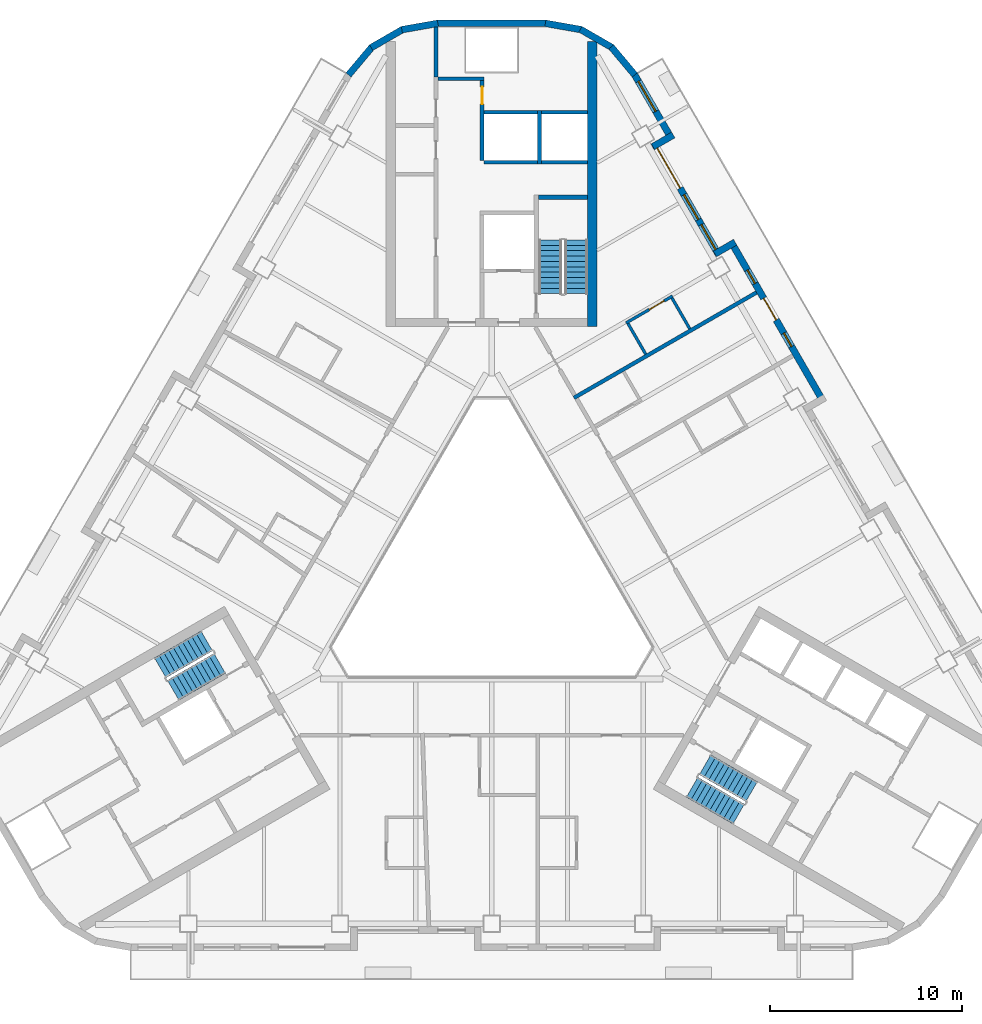
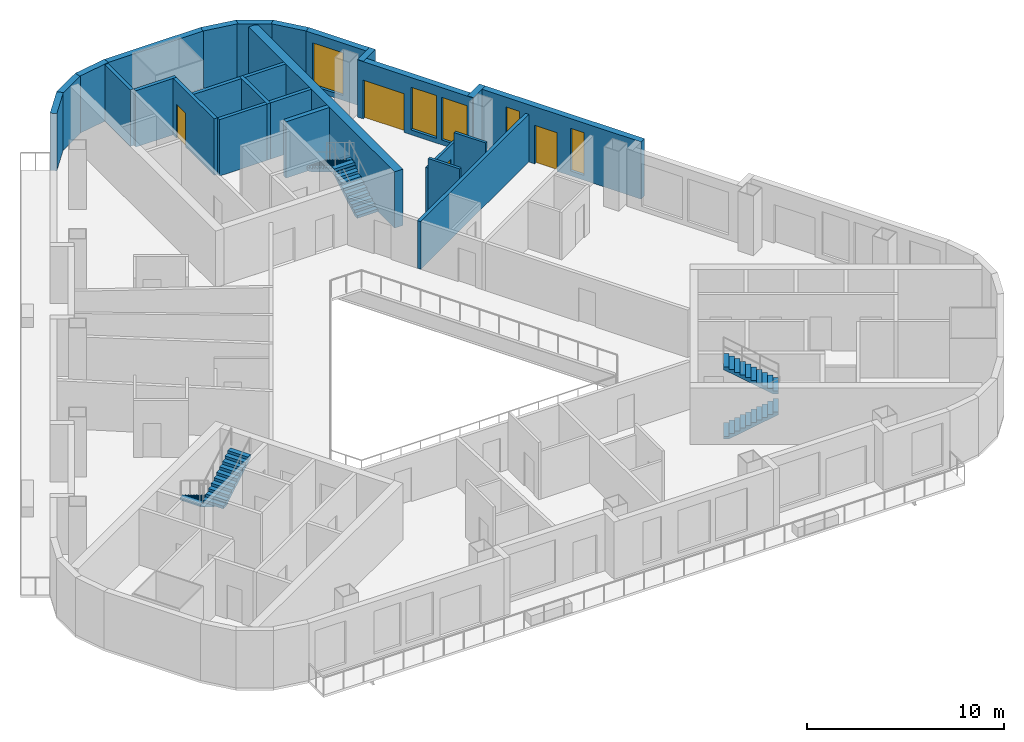
# One storey, part 7 of 13: 26 walls, 6 stair flights, 5 windows, 4 doors, 9 openings, 3 elements without a shape of their own.
"""IFC4 building model written with IfcOpenShell, lengths in metres."""

from ifc_helpers import new_model, si_unit, direction, frame, frame_2d, origin, place, context, subcontext, project, spatial, polyline, rectangle, outline, extrude, material, layer, layer_set, type_object, element, fill, aggregate, save


model = new_model("IFC4")

# Units and contexts
model_context = context("Model", 3, precision=1e-05, world=origin(), true_north=direction((0.0, 1.0)))
body_context = subcontext(model_context, "Body", "Model", "MODEL_VIEW")
ifc_project = project(units=[si_unit("LENGTHUNIT", "METRE"), si_unit("AREAUNIT", "SQUARE_METRE"), si_unit("VOLUMEUNIT", "CUBIC_METRE"), si_unit("PLANEANGLEUNIT", "RADIAN"), si_unit("MASSUNIT", "GRAM", prefix="KILO")], contexts=[model_context])

# Site, building, storey
site_placement = place(None, origin())
site = spatial("IfcSite", under=ifc_project, at=site_placement, CompositionType="ELEMENT")
building_placement = place(site_placement, origin())
building = spatial("IfcBuilding", under=site, at=building_placement, Name="Apuvela Tower Hotel", CompositionType="ELEMENT")
storey_placement = place(building_placement, frame((0.0, 0.0, 94.60009765625)))
storey = spatial("IfcBuildingStorey", under=building, at=storey_placement, Name="L21", CompositionType="ELEMENT", Elevation=94.60009765625)

# Walls
ifc_material_1 = material(Name="Concrete C50/60", Category="concrete")
ifc_layer_1 = layer(ifc_material_1, 0.5)
ifc_layer_set_1 = layer_set([ifc_layer_1], Name="COR-WALL-CORE-500")
wall_type_1 = type_object("IfcWallType", Name="COR-WALL-CORE-500", PredefinedType="SHEAR", material=ifc_layer_set_1)
wall_1_placement = place(storey_placement, frame((5.25, 12.89990234375, 0.0), z_axis=(0.0, 0.0, 1.0), x_axis=(0.0, 1.0, 0.0)))
element("IfcWall", 1, at=wall_1_placement, inside=storey, type_object=wall_type_1, Name="Core wall N", PredefinedType="SHEAR", context=body_context, shape_type="SweptSolid", body=[
    extrude(rectangle(XDim=14.8369140625, YDim=0.5, at=frame_2d((7.41845703125, 0.0))), origin(), (0.0, 0.0, 1.0), 3.5),
])
ifc_material_2 = material(Name="Blockwork 200 mm plastered", Category="masonry")
ifc_layer_2 = layer(ifc_material_2, 0.199951171875)
ifc_layer_set_2 = layer_set([ifc_layer_2], Name="COR-WALL-PART-200")
wall_type_2 = type_object("IfcWallType", Name="COR-WALL-PART-200", PredefinedType="PARTITIONING", material=ifc_layer_set_2)
wall_2_placement = place(storey_placement, frame((5.0, 21.449951171875, 0.0), z_axis=(0.0, 0.0, 1.0), x_axis=(-1.0, 0.0, 0.0)))
element("IfcWall", 2, at=wall_2_placement, inside=storey, type_object=wall_type_2, Name="Partition N", PredefinedType="PARTITIONING", context=body_context, shape_type="SweptSolid", body=[
    extrude(rectangle(XDim=2.39990234375, YDim=0.199951171875, at=frame_2d((1.199951171875, 0.0))), origin(), (0.0, 0.0, 1.0), 3.5),
])
wall_3_placement = place(storey_placement, frame((2.39990234375, 21.449951171875, 0.0), z_axis=(0.0, 0.0, 1.0), x_axis=(-1.0, 0.0, 0.0)))
element("IfcWall", 3, at=wall_3_placement, inside=storey, type_object=wall_type_2, Name="Partition N", PredefinedType="PARTITIONING", context=body_context, shape_type="SweptSolid", body=[
    extrude(rectangle(XDim=2.7998046875, YDim=0.199951171875, at=frame_2d((1.39990234375, 0.0))), origin(), (0.0, 0.0, 1.0), 3.5),
])
ifc_layer_3 = layer(ifc_material_1, 0.199951171875)
ifc_layer_set_3 = layer_set([ifc_layer_3], Name="COR-WALL-SHAFT-200")
wall_type_3 = type_object("IfcWallType", Name="COR-WALL-SHAFT-200", PredefinedType="SHEAR", material=ifc_layer_set_3)
wall_4_placement = place(storey_placement, frame((-0.39990234375, 25.800048828125, 0.0), z_axis=(0.0, 0.0, 1.0), x_axis=(-1.0, 0.0, 0.0)))
element("IfcWall", 4, at=wall_4_placement, inside=storey, type_object=wall_type_3, Name="Shaft wall N", PredefinedType="SHEAR", context=body_context, shape_type="SweptSolid", body=[
    extrude(rectangle(XDim=2.400146484375, YDim=0.199951171875, at=frame_2d((1.2001953125, 0.0))), origin(), (0.0, 0.0, 1.0), 3.5),
])

# Wall, opening, door
wall_5_placement = place(storey_placement, frame((-0.5, 21.550048828125, 0.0), z_axis=(0.0, 0.0, 1.0), x_axis=(0.0, 1.0, 0.0)))
wall_5 = element("IfcWall", 5, at=wall_5_placement, inside=storey, type_object=wall_type_3, Name="Shaft wall N", PredefinedType="SHEAR", context=body_context, shape_type="SweptSolid", body=[
    extrude(rectangle(XDim=4.14990234375, YDim=0.199951171875, at=frame_2d((2.074951171875, 0.0))), origin(), (0.0, 0.0, 1.0), 3.5),
])
opening_1_placement = place(wall_5_placement, frame((2.925048828125, 0.0, 0.0)))
opening_1 = element("IfcOpeningElement", 6, at=opening_1_placement, cuts=wall_5, Name="Opening N-RSP", PredefinedType="OPENING", context=body_context, shape_type="SweptSolid", body=[
    extrude(rectangle(XDim=0.89990234375, YDim=2.10009765625, at=frame_2d((0.449951171875, 1.050048828125))), frame((0.0, 0.10986328125, 0.0), z_axis=(0.0, -1.0, 0.0), x_axis=(1.0, 0.0, 0.0)), (0.0, 0.0, 1.0), 0.219970703125),
])
ifc_material_3 = material(Name="Steel fire door, powder coated", Category="steel")
door_type_1 = type_object("IfcDoorType", Name="COR-DR-900", OperationType="NOTDEFINED", PredefinedType="DOOR", material=ifc_material_3)
door_1_placement = place(opening_1_placement, frame((0.89990234375, 0.0, 0.0), z_axis=(0.0, 0.0, 1.0), x_axis=(-1.0, 0.0, 0.0)))
door_1 = element("IfcDoor", 7, at=door_1_placement, inside=storey, type_object=door_type_1, Name="Store door N-RSP", OperationType="SINGLE_SWING_LEFT", OverallHeight=2.10009765625, OverallWidth=0.89990234375, PredefinedType="DOOR", context=body_context, shape_type="SweptSolid", body=[
    extrude(rectangle(XDim=0.89990234375, YDim=2.10009765625, at=frame_2d((0.449951171875, 1.050048828125))), frame((0.0, 0.02490234375, 0.0), z_axis=(0.0, -1.0, 0.0), x_axis=(1.0, 0.0, 0.0)), (0.0, 0.0, 1.0), 0.050048828125),
])
fill(opening_1, door_1)

# Walls
wall_6_placement = place(storey_placement, frame((-2.89990234375, 25.89990234375, 0.0), z_axis=(0.0, 0.0, 1.0), x_axis=(0.0, 1.0, 0.0)))
element("IfcWall", 8, at=wall_6_placement, inside=storey, type_object=wall_type_3, Name="Shaft wall N", PredefinedType="SHEAR", context=body_context, shape_type="SweptSolid", body=[
    extrude(rectangle(XDim=2.60009765625, YDim=0.199951171875, at=frame_2d((1.300048828125, 0.0))), origin(), (0.0, 0.0, 1.0), 3.5),
])
wall_7_placement = place(storey_placement, frame((2.5, 21.35009765625, 0.0), z_axis=(0.0, 0.0, 1.0), x_axis=(0.0, 1.0, 0.0)))
element("IfcWall", 9, at=wall_7_placement, inside=storey, type_object=wall_type_3, Name="Shaft wall N", PredefinedType="SHEAR", context=body_context, shape_type="SweptSolid", body=[
    extrude(rectangle(XDim=2.7998046875, YDim=0.199951171875, at=frame_2d((1.39990234375, 0.0))), origin(), (0.0, 0.0, 1.0), 3.5),
])
wall_8_placement = place(storey_placement, frame((5.0, 24.050048828125, 0.0), z_axis=(0.0, 0.0, 1.0), x_axis=(-1.0, 0.0, 0.0)))
element("IfcWall", 10, at=wall_8_placement, inside=storey, type_object=wall_type_3, Name="Shaft wall N", PredefinedType="SHEAR", context=body_context, shape_type="SweptSolid", body=[
    extrude(rectangle(XDim=2.39990234375, YDim=0.199951171875, at=frame_2d((1.199951171875, 0.0))), origin(), (0.0, 0.0, 1.0), 3.5),
])
wall_9_placement = place(storey_placement, frame((2.39990234375, 24.050048828125, 0.0), z_axis=(0.0, 0.0, 1.0), x_axis=(-1.0, 0.0, 0.0)))
element("IfcWall", 11, at=wall_9_placement, inside=storey, type_object=wall_type_3, Name="Shaft wall N", PredefinedType="SHEAR", context=body_context, shape_type="SweptSolid", body=[
    extrude(rectangle(XDim=2.7998046875, YDim=0.199951171875, at=frame_2d((1.39990234375, 0.0))), origin(), (0.0, 0.0, 1.0), 3.5),
])
ifc_layer_4 = layer(ifc_material_1, 0.25)
ifc_layer_set_4 = layer_set([ifc_layer_4], Name="COR-WALL-STAIR-250")
wall_type_4 = type_object("IfcWallType", Name="COR-WALL-STAIR-250", PredefinedType="SHEAR", material=ifc_layer_set_4)
wall_10_placement = place(storey_placement, frame((5.0, 19.625, 0.0), z_axis=(0.0, 0.0, 1.0), x_axis=(-1.0, 0.0, 0.0)))
element("IfcWall", 12, at=wall_10_placement, inside=storey, type_object=wall_type_4, Name="Stair wall N", PredefinedType="SHEAR", context=body_context, shape_type="SweptSolid", body=[
    extrude(rectangle(XDim=2.550048828125, YDim=0.25, at=frame_2d((1.27490234375, 0.0))), origin(), (0.0, 0.0, 1.0), 3.5),
])

# Wall, openings, door, windows
ifc_material_4 = material(Name="Concrete C40/50, dark pigmented precast panel", Category="concrete")
ifc_layer_5 = layer(ifc_material_4, 0.35009765625)
ifc_layer_set_5 = layer_set([ifc_layer_5], Name="ENV-WALL-350")
wall_type_5 = type_object("IfcWallType", Name="ENV-WALL-350", PredefinedType="SOLIDWALL", material=ifc_layer_set_5)
wall_11_placement = place(storey_placement, frame((17.298583984375, 8.947998046875, 0.0), z_axis=(0.0, 0.0, 1.0), x_axis=(-0.500010041276, 0.866019606374, 0.0)))
wall_11 = element("IfcWall", 13, at=wall_11_placement, inside=storey, type_object=wall_type_5, Name="External wall L21-37", PredefinedType="SOLIDWALL", context=body_context, shape_type="SweptSolid", body=[
    extrude(rectangle(XDim=9.699951171875, YDim=0.35009765625, at=frame_2d((4.85009765625, 0.0))), origin(), (0.0, 0.0, 1.0), 3.5498046875),
])
opening_2_placement = place(wall_11_placement, frame((3.3505859375, 0.0, 0.300048828125)))
opening_2 = element("IfcOpeningElement", 14, at=opening_2_placement, cuts=wall_11, Name="Opening WN08", PredefinedType="OPENING", context=body_context, shape_type="SweptSolid", body=[
    extrude(rectangle(XDim=0.800048828125, YDim=2.64990234375, at=frame_2d((0.39990234375, 1.324951171875))), frame((0.0, 0.18505859375, 0.0), z_axis=(0.0, -1.0, 0.0), x_axis=(1.0, 0.0, 0.0)), (0.0, 0.0, 1.0), 0.3701171875),
])
opening_3_placement = place(wall_11_placement, frame((4.94970703125, 0.0, 0.0)))
opening_3 = element("IfcOpeningElement", 15, at=opening_3_placement, cuts=wall_11, Name="Opening BD13", PredefinedType="OPENING", context=body_context, shape_type="SweptSolid", body=[
    extrude(rectangle(XDim=1.300048828125, YDim=2.39990234375, at=frame_2d((0.64990234375, 1.199951171875))), frame((0.0, 0.18505859375, 0.0), z_axis=(0.0, -1.0, 0.0), x_axis=(1.0, 0.0, 0.0)), (0.0, 0.0, 1.0), 0.3701171875),
])
opening_4_placement = place(wall_11_placement, frame((7.150390625, 0.0, 0.300048828125)))
opening_4 = element("IfcOpeningElement", 16, at=opening_4_placement, cuts=wall_11, Name="Opening WN08", PredefinedType="OPENING", context=body_context, shape_type="SweptSolid", body=[
    extrude(rectangle(XDim=0.800048828125, YDim=2.64990234375, at=frame_2d((0.39990234375, 1.324951171875))), frame((0.0, 0.18505859375, 0.0), z_axis=(0.0, -1.0, 0.0), x_axis=(1.0, 0.0, 0.0)), (0.0, 0.0, 1.0), 0.3701171875),
])
ifc_material_5 = material(Name="Aluminium 6063-T6, dark bronze anodised frame with dark tinted laminated glass", Category="aluminium")
door_type_2 = type_object("IfcDoorType", Name="ENV-DOOR-BALCONY-1300x2400", OperationType="SLIDING_TO_LEFT", PredefinedType="DOOR", material=ifc_material_5)
door_2_placement = place(opening_3_placement, frame((1.300048828125, 0.0, 0.0), z_axis=(0.0, 0.0, 1.0), x_axis=(-1.0, 0.0, 0.0)))
door_2 = element("IfcDoor", 17, at=door_2_placement, inside=storey, type_object=door_type_2, Name="Balcony door BD13", OperationType="SLIDING_TO_LEFT", OverallHeight=2.39990234375, OverallWidth=1.300048828125, PredefinedType="DOOR", context=body_context, shape_type="SweptSolid", body=[
    extrude(rectangle(XDim=1.300048828125, YDim=2.39990234375, at=frame_2d((0.64990234375, 1.199951171875))), frame((0.0, 0.02490234375, 0.0), z_axis=(0.0, -1.0, 0.0), x_axis=(1.0, 0.0, 0.0)), (0.0, 0.0, 1.0), 0.050048828125),
])
fill(opening_3, door_2)
ifc_material_6 = material(Name="Glass, dark tinted laminated insulated glazing unit", Category="glass")
window_type_1 = type_object("IfcWindowType", Name="ENV-WIN-800x2650", PartitioningType="SINGLE_PANEL", PredefinedType="WINDOW", material=ifc_material_6)
window_1_placement = place(opening_2_placement, origin())
window_1 = element("IfcWindow", 18, at=window_1_placement, inside=storey, type_object=window_type_1, Name="Window WN08", OverallHeight=2.64990234375, OverallWidth=0.800048828125, PartitioningType="SINGLE_PANEL", PredefinedType="WINDOW", context=body_context, shape_type="SweptSolid", body=[
    extrude(rectangle(XDim=0.800048828125, YDim=2.64990234375, at=frame_2d((0.39990234375, 1.324951171875))), frame((0.0, 0.030029296875, 0.0), z_axis=(0.0, -1.0, 0.0), x_axis=(1.0, 0.0, 0.0)), (0.0, 0.0, 1.0), 0.06005859375),
])
fill(opening_2, window_1)
window_2_placement = place(opening_4_placement, origin())
window_2 = element("IfcWindow", 19, at=window_2_placement, inside=storey, type_object=window_type_1, Name="Window WN08", OverallHeight=2.64990234375, OverallWidth=0.800048828125, PartitioningType="SINGLE_PANEL", PredefinedType="WINDOW", context=body_context, shape_type="SweptSolid", body=[
    extrude(rectangle(XDim=0.800048828125, YDim=2.64990234375, at=frame_2d((0.39990234375, 1.324951171875))), frame((0.0, 0.030029296875, 0.0), z_axis=(0.0, -1.0, 0.0), x_axis=(1.0, 0.0, 0.0)), (0.0, 0.0, 1.0), 0.06005859375),
])
fill(opening_4, window_2)

# Wall
wall_12_placement = place(storey_placement, frame((12.6875, 17.284423828125, 0.0), z_axis=(0.0, 0.0, 1.0), x_axis=(-0.865955602162, -0.500120880472, 0.0)))
element("IfcWall", 20, at=wall_12_placement, inside=storey, type_object=wall_type_5, Name="External wall L21-38", PredefinedType="SOLIDWALL", context=body_context, shape_type="SweptSolid", body=[
    extrude(rectangle(XDim=1.219970703125, YDim=0.35009765625, at=frame_2d((0.60986328125, 0.0))), origin(), (0.0, 0.0, 1.0), 3.5498046875),
])

# Wall, openings, door, windows
wall_13_placement = place(storey_placement, frame((11.8291015625, 16.621337890625, 0.0), z_axis=(0.0, 0.0, 1.0), x_axis=(-0.500003597184, 0.866023326939, 0.0)))
wall_13 = element("IfcWall", 21, at=wall_13_placement, inside=storey, type_object=wall_type_5, Name="External wall L21-39", PredefinedType="SOLIDWALL", context=body_context, shape_type="SweptSolid", body=[
    extrude(rectangle(XDim=6.740234375, YDim=0.35009765625, at=frame_2d((3.3701171875, 0.0))), origin(), (0.0, 0.0, 1.0), 3.5498046875),
])
opening_5_placement = place(wall_13_placement, frame((4.01953125, 0.0, 0.0)))
opening_5 = element("IfcOpeningElement", 22, at=opening_5_placement, cuts=wall_13, Name="Opening BD24", PredefinedType="OPENING", context=body_context, shape_type="SweptSolid", body=[
    extrude(rectangle(XDim=2.39990234375, YDim=2.39990234375, at=frame_2d((1.199951171875, 1.199951171875))), frame((0.0, 0.18505859375, 0.0), z_axis=(0.0, -1.0, 0.0), x_axis=(1.0, 0.0, 0.0)), (0.0, 0.0, 1.0), 0.3701171875),
])
opening_6_placement = place(wall_13_placement, frame((0.320068359375, 0.0, 0.300048828125)))
opening_6 = element("IfcOpeningElement", 23, at=opening_6_placement, cuts=wall_13, Name="Opening WN15", PredefinedType="OPENING", context=body_context, shape_type="SweptSolid", body=[
    extrude(rectangle(XDim=1.5, YDim=2.64990234375, at=frame_2d((0.75, 1.324951171875))), frame((0.0, 0.18505859375, 0.0), z_axis=(0.0, -1.0, 0.0), x_axis=(1.0, 0.0, 0.0)), (0.0, 0.0, 1.0), 0.3701171875),
])
opening_7_placement = place(wall_13_placement, frame((2.1201171875, 0.0, 0.300048828125)))
opening_7 = element("IfcOpeningElement", 24, at=opening_7_placement, cuts=wall_13, Name="Opening WN15", PredefinedType="OPENING", context=body_context, shape_type="SweptSolid", body=[
    extrude(rectangle(XDim=1.5, YDim=2.64990234375, at=frame_2d((0.75, 1.324951171875))), frame((0.0, 0.18505859375, 0.0), z_axis=(0.0, -1.0, 0.0), x_axis=(1.0, 0.0, 0.0)), (0.0, 0.0, 1.0), 0.3701171875),
])
door_type_3 = type_object("IfcDoorType", Name="ENV-DOOR-BALCONY-2400x2400", OperationType="SLIDING_TO_LEFT", PredefinedType="DOOR", material=ifc_material_5)
door_3_placement = place(opening_5_placement, frame((2.39990234375, 0.0, 0.0), z_axis=(0.0, 0.0, 1.0), x_axis=(-1.0, 0.0, 0.0)))
door_3 = element("IfcDoor", 25, at=door_3_placement, inside=storey, type_object=door_type_3, Name="Balcony door BD24", OperationType="SLIDING_TO_LEFT", OverallHeight=2.39990234375, OverallWidth=2.39990234375, PredefinedType="DOOR", context=body_context, shape_type="SweptSolid", body=[
    extrude(rectangle(XDim=2.39990234375, YDim=2.39990234375, at=frame_2d((1.199951171875, 1.199951171875))), frame((0.0, 0.02490234375, 0.0), z_axis=(0.0, -1.0, 0.0), x_axis=(1.0, 0.0, 0.0)), (0.0, 0.0, 1.0), 0.050048828125),
])
fill(opening_5, door_3)
window_type_2 = type_object("IfcWindowType", Name="ENV-WIN-1500x2650", PartitioningType="SINGLE_PANEL", PredefinedType="WINDOW", material=ifc_material_6)
window_3_placement = place(opening_6_placement, origin())
window_3 = element("IfcWindow", 26, at=window_3_placement, inside=storey, type_object=window_type_2, Name="Window WN15", OverallHeight=2.64990234375, OverallWidth=1.5, PartitioningType="SINGLE_PANEL", PredefinedType="WINDOW", context=body_context, shape_type="SweptSolid", body=[
    extrude(rectangle(XDim=1.5, YDim=2.64990234375, at=frame_2d((0.75, 1.324951171875))), frame((0.0, 0.030029296875, 0.0), z_axis=(0.0, -1.0, 0.0), x_axis=(1.0, 0.0, 0.0)), (0.0, 0.0, 1.0), 0.06005859375),
])
fill(opening_6, window_3)
window_4_placement = place(opening_7_placement, origin())
window_4 = element("IfcWindow", 27, at=window_4_placement, inside=storey, type_object=window_type_2, Name="Window WN15", OverallHeight=2.64990234375, OverallWidth=1.5, PartitioningType="SINGLE_PANEL", PredefinedType="WINDOW", context=body_context, shape_type="SweptSolid", body=[
    extrude(rectangle(XDim=1.5, YDim=2.64990234375, at=frame_2d((0.75, 1.324951171875))), frame((0.0, 0.030029296875, 0.0), z_axis=(0.0, -1.0, 0.0), x_axis=(1.0, 0.0, 0.0)), (0.0, 0.0, 1.0), 0.06005859375),
])
fill(opening_7, window_4)

# Wall
wall_14_placement = place(storey_placement, frame((8.406005859375, 22.26025390625, 0.0), z_axis=(0.0, 0.0, 1.0), x_axis=(0.865955602162, 0.500120880472, 0.0)))
element("IfcWall", 28, at=wall_14_placement, inside=storey, type_object=wall_type_5, Name="External wall L21-40", PredefinedType="SOLIDWALL", context=body_context, shape_type="SweptSolid", body=[
    extrude(rectangle(XDim=1.219970703125, YDim=0.35009765625, at=frame_2d((0.60986328125, 0.0))), origin(), (0.0, 0.0, 1.0), 3.5498046875),
])

# Wall, opening, window
wall_15_placement = place(storey_placement, frame((9.3984375, 22.631103515625, 0.0), z_axis=(0.0, 0.0, 1.0), x_axis=(-0.499954521343, 0.866051659307, 0.0)))
wall_15 = element("IfcWall", 29, at=wall_15_placement, inside=storey, type_object=wall_type_5, Name="External wall L21-41", PredefinedType="SOLIDWALL", context=body_context, shape_type="SweptSolid", body=[
    extrude(rectangle(XDim=3.915771484375, YDim=0.35009765625, at=frame_2d((1.9580078125, 0.0))), origin(), (0.0, 0.0, 1.0), 3.5498046875),
])
opening_8_placement = place(wall_15_placement, frame((1.69970703125, 0.0, 0.300048828125)))
opening_8 = element("IfcOpeningElement", 30, at=opening_8_placement, cuts=wall_15, Name="Opening WN18", PredefinedType="OPENING", context=body_context, shape_type="SweptSolid", body=[
    extrude(rectangle(XDim=1.800048828125, YDim=2.64990234375, at=frame_2d((0.89990234375, 1.324951171875))), frame((0.0, 0.18505859375, 0.0), z_axis=(0.0, -1.0, 0.0), x_axis=(1.0, 0.0, 0.0)), (0.0, 0.0, 1.0), 0.3701171875),
])
window_type_3 = type_object("IfcWindowType", Name="ENV-WIN-1800x2650", PartitioningType="SINGLE_PANEL", PredefinedType="WINDOW", material=ifc_material_6)
window_5_placement = place(opening_8_placement, origin())
window_5 = element("IfcWindow", 31, at=window_5_placement, inside=storey, type_object=window_type_3, Name="Window WN18", OverallHeight=2.64990234375, OverallWidth=1.800048828125, PartitioningType="SINGLE_PANEL", PredefinedType="WINDOW", context=body_context, shape_type="SweptSolid", body=[
    extrude(rectangle(XDim=1.800048828125, YDim=2.64990234375, at=frame_2d((0.89990234375, 1.324951171875))), frame((0.0, 0.030029296875, 0.0), z_axis=(0.0, -1.0, 0.0), x_axis=(1.0, 0.0, 0.0)), (0.0, 0.0, 1.0), 0.06005859375),
])
fill(opening_8, window_5)

# Walls
wall_16_placement = place(storey_placement, frame((7.4580078125, 25.99755859375, 0.0), z_axis=(0.0, 0.0, 1.0), x_axis=(-0.642808304945, 0.766027077259, 0.0)))
element("IfcWall", 32, at=wall_16_placement, inside=storey, type_object=wall_type_5, Name="External wall L21-42", PredefinedType="SOLIDWALL", context=body_context, shape_type="SweptSolid", body=[
    extrude(rectangle(XDim=1.909912109375, YDim=0.35009765625, at=frame_2d((0.955078125, 0.0))), origin(), (0.0, 0.0, 1.0), 3.5498046875),
])
for number, where, z_axis, x_axis, name in (
    (33, (6.27685546875, 27.421630859375, 0.0), (0.0, 0.0, 1.0), (-0.866032345022, 0.499987977232, 0.0), "External wall L21-43"),
    (34, (4.6796875, 28.35595703125, 0.0), (0.0, 0.0, 1.0), (-0.984798995425, 0.173697837091, 0.0), "External wall L21-44"),
):
    element("IfcWall", number, at=place(storey_placement, frame(where, z_axis=z_axis, x_axis=x_axis)), inside=storey, type_object=wall_type_5, Name=name, PredefinedType="SOLIDWALL", context=body_context, shape_type="SweptSolid", body=[
        extrude(rectangle(XDim=1.91015625, YDim=0.35009765625, at=frame_2d((0.955078125, 0.0))), origin(), (0.0, 0.0, 1.0), 3.5498046875),
    ])
wall_17_placement = place(storey_placement, frame((2.8291015625, 28.68505859375, 0.0), z_axis=(0.0, 0.0, 1.0), x_axis=(-1.0, 0.0, 0.0)))
element("IfcWall", 35, at=wall_17_placement, inside=storey, type_object=wall_type_5, Name="External wall L21-45", PredefinedType="SOLIDWALL", context=body_context, shape_type="SweptSolid", body=[
    extrude(rectangle(XDim=5.658203125, YDim=0.35009765625, at=frame_2d((2.8291015625, 0.0))), origin(), (0.0, 0.0, 1.0), 3.5498046875),
])
for number, where, z_axis, x_axis, name in (
    (36, (-2.798583984375, 28.687744140625, 0.0), (0.0, 0.0, 1.0), (-0.984798995425, -0.173697837091, 0.0), "External wall L21-46"),
    (37, (-4.62255859375, 28.376708984375, 0.0), (0.0, 0.0, 1.0), (-0.866032345022, -0.499987977232, 0.0), "External wall L21-47"),
):
    element("IfcWall", number, at=place(storey_placement, frame(where, z_axis=z_axis, x_axis=x_axis)), inside=storey, type_object=wall_type_5, Name=name, PredefinedType="SOLIDWALL", context=body_context, shape_type="SweptSolid", body=[
        extrude(rectangle(XDim=1.91015625, YDim=0.35009765625, at=frame_2d((0.955078125, 0.0))), origin(), (0.0, 0.0, 1.0), 3.5498046875),
    ])
wall_18_placement = place(storey_placement, frame((-6.230224609375, 27.460693359375, 0.0), z_axis=(0.0, 0.0, 1.0), x_axis=(-0.642808304945, -0.766027077259, 0.0)))
element("IfcWall", 38, at=wall_18_placement, inside=storey, type_object=wall_type_5, Name="External wall L21-48", PredefinedType="SOLIDWALL", context=body_context, shape_type="SweptSolid", body=[
    extrude(rectangle(XDim=1.909912109375, YDim=0.35009765625, at=frame_2d((0.955078125, 0.0))), origin(), (0.0, 0.0, 1.0), 3.5498046875),
])
ifc_material_7 = material(Name="Gypsum board partition on twin steel stud", Category="steel")
ifc_layer_6 = layer(ifc_material_7, 0.199951171875)
ifc_layer_set_6 = layer_set([ifc_layer_6], Name="GST-PW1")
wall_type_6 = type_object("IfcWallType", Name="GST-PW1", PredefinedType="PARTITIONING", material=ifc_layer_set_6)
wall_19_placement = place(storey_placement, frame((13.797119140625, 14.662841796875, 0.0), z_axis=(0.0, 0.0, 1.0), x_axis=(-0.866027479907, -0.499996404033, 0.0)))
element("IfcWall", 39, at=wall_19_placement, inside=storey, type_object=wall_type_6, Name="L21 partition 04", PredefinedType="PARTITIONING", context=body_context, shape_type="SweptSolid", body=[
    extrude(rectangle(XDim=10.97998046875, YDim=0.199951171875, at=frame_2d((5.489990234375, 0.0))), origin(), (0.0, 0.0, 1.0), 2.9599609375),
])

# Wall, opening, door
ifc_material_8 = material(Name="Moisture-resistant gypsum board wet wall on steel stud", Category="steel")
ifc_layer_7 = layer(ifc_material_8, 0.14990234375)
ifc_layer_set_7 = layer_set([ifc_layer_7], Name="GST-PW3")
wall_type_7 = type_object("IfcWallType", Name="GST-PW3", PredefinedType="PARTITIONING", material=ifc_layer_set_7)
wall_20_placement = place(storey_placement, frame((9.42431640625, 14.4765625, 0.0), z_axis=(0.0, 0.0, 1.0), x_axis=(-0.866034573852, -0.49998411664, 0.0)))
wall_20 = element("IfcWall", 40, at=wall_20_placement, inside=storey, type_object=wall_type_7, Name="L21 partition 27", PredefinedType="PARTITIONING", context=body_context, shape_type="SweptSolid", body=[
    extrude(rectangle(XDim=2.7998046875, YDim=0.14990234375, at=frame_2d((1.39990234375, 0.0))), origin(), (0.0, 0.0, 1.0), 2.949951171875),
])
opening_9_placement = place(wall_20_placement, frame((0.5, 0.0, 0.0)))
opening_9 = element("IfcOpeningElement", 41, at=opening_9_placement, cuts=wall_20, Name="Opening GD07-11", PredefinedType="OPENING", context=body_context, shape_type="SweptSolid", body=[
    extrude(rectangle(XDim=0.89990234375, YDim=2.10009765625, at=frame_2d((0.449951171875, 1.050048828125))), frame((0.0, 0.0849609375, 0.0), z_axis=(0.0, -1.0, 0.0), x_axis=(1.0, 0.0, 0.0)), (0.0, 0.0, 1.0), 0.169921875),
])
ifc_material_9 = material(Name="Timber door leaf in steel frame", Category="steel")
door_type_4 = type_object("IfcDoorType", Name="GST-D2", OperationType="NOTDEFINED", PredefinedType="DOOR", material=ifc_material_9)
door_4_placement = place(opening_9_placement, origin())
door_4 = element("IfcDoor", 42, at=door_4_placement, inside=storey, type_object=door_type_4, Name="Door L21-11", OperationType="SINGLE_SWING_LEFT", OverallHeight=2.10009765625, OverallWidth=0.89990234375, PredefinedType="DOOR", context=body_context, shape_type="SweptSolid", body=[
    extrude(rectangle(XDim=0.89990234375, YDim=2.10009765625, at=frame_2d((0.449951171875, 1.050048828125))), frame((0.0, 0.02490234375, 0.0), z_axis=(0.0, -1.0, 0.0), x_axis=(1.0, 0.0, 0.0)), (0.0, 0.0, 1.0), 0.050048828125),
])
fill(opening_9, door_4)

# Walls
for number, where, z_axis, x_axis, name in (
    (43, (10.32177734375, 12.77197265625, 0.0), (0.0, 0.0, 1.0), (-0.499985172903, 0.866033964044, 0.0), "L21 partition 28"),
    (44, (8.02685546875, 11.447021484375, 0.0), (0.0, 0.0, 1.0), (-0.499985172903, 0.866033964044, 0.0), "L21 partition 29"),
):
    element("IfcWall", number, at=place(storey_placement, frame(where, z_axis=z_axis, x_axis=x_axis)), inside=storey, type_object=wall_type_7, Name=name, PredefinedType="PARTITIONING", context=body_context, shape_type="SweptSolid", body=[
        extrude(rectangle(XDim=1.85009765625, YDim=0.14990234375, at=frame_2d((0.925048828125, 0.0))), origin(), (0.0, 0.0, 1.0), 3.5498046875),
    ])

# Stair, stair flights
stair_type = type_object("IfcStairType", Name="COR-STAIR-22R", PredefinedType="HALF_TURN_STAIR", material=ifc_material_1)
stair_1_placement = place(storey_placement, origin())
stair_1 = element("IfcStair", 45, at=stair_1_placement, inside=storey, type_object=stair_type, Name="L21 Exit stair ST1", PredefinedType="HALF_TURN_STAIR")
stair_flight_type = type_object("IfcStairFlightType", Name="COR-FLIGHT-11R", PredefinedType="STRAIGHT", material=ifc_material_1)
stair_flight_1_placement = place(storey_placement, frame((4.39990234375, 14.60009765625, 0.0), z_axis=(0.0, 0.0, 1.0), x_axis=(0.0, 1.0, 0.0)))
stair_flight_1 = element("IfcStairFlight", 46, at=stair_flight_1_placement, type_object=stair_flight_type, Name="ST1 flight 1", NumberOfRisers=11, NumberOfTreads=10, PredefinedType="STRAIGHT", RiserHeight=0.168181818, TreadLength=0.28, context=body_context, shape_type="SweptSolid", body=[
    extrude(outline(polyline([(0.0, 0.0), (0.0, 0.168212890625), (0.280029296875, 0.168212890625), (0.280029296875, 0.33642578125), (0.56005859375, 0.33642578125), (0.56005859375, 0.504638671875), (0.840087890625, 0.504638671875), (0.840087890625, 0.672607421875), (1.1201171875, 0.672607421875), (1.1201171875, 0.8408203125), (1.39990234375, 0.8408203125), (1.39990234375, 1.009033203125), (1.679931640625, 1.009033203125), (1.679931640625, 1.17724609375), (1.9599609375, 1.17724609375), (1.9599609375, 1.345458984375), (2.239990234375, 1.345458984375), (2.239990234375, 1.513671875), (2.52001953125, 1.513671875), (2.52001953125, 1.681884765625), (2.800048828125, 1.681884765625), (2.800048828125, 1.85009765625), (2.800048828125, 1.5068359375), (0.291015625, 0.0), (0.0, 0.0)])), frame((0.0, 0.60009765625, 0.0), z_axis=(0.0, -1.0, 0.0), x_axis=(1.0, 0.0, 0.0)), (0.0, 0.0, 1.0), 1.199951171875),
])
stair_flight_2_placement = place(storey_placement, frame((3.050048828125, 17.39990234375, 1.849853515625), z_axis=(0.0, 0.0, 1.0), x_axis=(0.0, -1.0, 0.0)))
stair_flight_2 = element("IfcStairFlight", 47, at=stair_flight_2_placement, type_object=stair_flight_type, Name="ST1 flight 2", NumberOfRisers=11, NumberOfTreads=10, PredefinedType="STRAIGHT", RiserHeight=0.168181818, TreadLength=0.28, context=body_context, shape_type="SweptSolid", body=[
    extrude(outline(polyline([(0.0, 0.0), (0.0, 0.168212890625), (0.280029296875, 0.168212890625), (0.280029296875, 0.33642578125), (0.56005859375, 0.33642578125), (0.56005859375, 0.504638671875), (0.840087890625, 0.504638671875), (0.840087890625, 0.672607421875), (1.1201171875, 0.672607421875), (1.1201171875, 0.8408203125), (1.39990234375, 0.8408203125), (1.39990234375, 1.009033203125), (1.679931640625, 1.009033203125), (1.679931640625, 1.17724609375), (1.9599609375, 1.17724609375), (1.9599609375, 1.345458984375), (2.239990234375, 1.345458984375), (2.239990234375, 1.513671875), (2.52001953125, 1.513671875), (2.52001953125, 1.681884765625), (2.800048828125, 1.681884765625), (2.800048828125, 1.85009765625), (2.800048828125, 1.5068359375), (0.291015625, 0.0), (0.0, 0.0)])), frame((0.0, 0.60009765625, 0.0), z_axis=(0.0, -1.0, 0.0), x_axis=(1.0, 0.0, 0.0)), (0.0, 0.0, 1.0), 1.199951171875),
])
aggregate(stair_1, [stair_flight_1, stair_flight_2])

stair_2_placement = place(storey_placement, origin())
stair_2 = element("IfcStair", 48, at=stair_2_placement, inside=storey, type_object=stair_type, Name="L21 Exit stair ST2", PredefinedType="HALF_TURN_STAIR")
stair_flight_3_placement = place(storey_placement, frame((-14.843994140625, -3.489501953125, 0.0), z_axis=(0.0, 0.0, 1.0), x_axis=(-0.866025403784, -0.5, 0.0)))
stair_flight_3 = element("IfcStairFlight", 49, at=stair_flight_3_placement, type_object=stair_flight_type, Name="ST2 flight 1", NumberOfRisers=11, NumberOfTreads=10, PredefinedType="STRAIGHT", RiserHeight=0.168181818, TreadLength=0.28, context=body_context, shape_type="SweptSolid", body=[
    extrude(outline(polyline([(0.0, 0.0), (0.0, 0.168212890625), (0.280029296875, 0.168212890625), (0.280029296875, 0.33642578125), (0.56005859375, 0.33642578125), (0.56005859375, 0.504638671875), (0.840087890625, 0.504638671875), (0.840087890625, 0.672607421875), (1.1201171875, 0.672607421875), (1.1201171875, 0.8408203125), (1.39990234375, 0.8408203125), (1.39990234375, 1.009033203125), (1.679931640625, 1.009033203125), (1.679931640625, 1.17724609375), (1.9599609375, 1.17724609375), (1.9599609375, 1.345458984375), (2.239990234375, 1.345458984375), (2.239990234375, 1.513671875), (2.52001953125, 1.513671875), (2.52001953125, 1.681884765625), (2.800048828125, 1.681884765625), (2.800048828125, 1.85009765625), (2.800048828125, 1.5068359375), (0.291015625, 0.0), (0.0, 0.0)])), frame((0.0, 0.60009765625, 0.0), z_axis=(0.0, -1.0, 0.0), x_axis=(1.0, 0.0, 0.0)), (0.0, 0.0, 1.0), 1.199951171875),
])
stair_flight_4_placement = place(storey_placement, frame((-16.59375, -6.05859375, 1.849853515625), z_axis=(0.0, 0.0, 1.0), x_axis=(0.866025403784, 0.5, 0.0)))
stair_flight_4 = element("IfcStairFlight", 50, at=stair_flight_4_placement, type_object=stair_flight_type, Name="ST2 flight 2", NumberOfRisers=11, NumberOfTreads=10, PredefinedType="STRAIGHT", RiserHeight=0.168181818, TreadLength=0.28, context=body_context, shape_type="SweptSolid", body=[
    extrude(outline(polyline([(0.0, 0.0), (0.0, 0.168212890625), (0.280029296875, 0.168212890625), (0.280029296875, 0.33642578125), (0.56005859375, 0.33642578125), (0.56005859375, 0.504638671875), (0.840087890625, 0.504638671875), (0.840087890625, 0.672607421875), (1.1201171875, 0.672607421875), (1.1201171875, 0.8408203125), (1.39990234375, 0.8408203125), (1.39990234375, 1.009033203125), (1.679931640625, 1.009033203125), (1.679931640625, 1.17724609375), (1.9599609375, 1.17724609375), (1.9599609375, 1.345458984375), (2.239990234375, 1.345458984375), (2.239990234375, 1.513671875), (2.52001953125, 1.513671875), (2.52001953125, 1.681884765625), (2.800048828125, 1.681884765625), (2.800048828125, 1.85009765625), (2.800048828125, 1.5068359375), (0.291015625, 0.0), (0.0, 0.0)])), frame((0.0, 0.60009765625, 0.0), z_axis=(0.0, -1.0, 0.0), x_axis=(1.0, 0.0, 0.0)), (0.0, 0.0, 1.0), 1.199951171875),
])
aggregate(stair_2, [stair_flight_3, stair_flight_4])

stair_3_placement = place(storey_placement, origin())
stair_3 = element("IfcStair", 51, at=stair_3_placement, inside=storey, type_object=stair_type, Name="L21 Exit stair ST3", PredefinedType="HALF_TURN_STAIR")
stair_flight_5_placement = place(storey_placement, frame((10.444091796875, -11.110595703125, 0.0), z_axis=(0.0, 0.0, 1.0), x_axis=(0.866025403784, -0.5, 0.0)))
stair_flight_5 = element("IfcStairFlight", 52, at=stair_flight_5_placement, type_object=stair_flight_type, Name="ST3 flight 1", NumberOfRisers=11, NumberOfTreads=10, PredefinedType="STRAIGHT", RiserHeight=0.168181818, TreadLength=0.28, context=body_context, shape_type="SweptSolid", body=[
    extrude(outline(polyline([(0.0, 0.0), (0.0, 0.168212890625), (0.280029296875, 0.168212890625), (0.280029296875, 0.33642578125), (0.56005859375, 0.33642578125), (0.56005859375, 0.504638671875), (0.840087890625, 0.504638671875), (0.840087890625, 0.672607421875), (1.1201171875, 0.672607421875), (1.1201171875, 0.8408203125), (1.39990234375, 0.8408203125), (1.39990234375, 1.009033203125), (1.679931640625, 1.009033203125), (1.679931640625, 1.17724609375), (1.9599609375, 1.17724609375), (1.9599609375, 1.345458984375), (2.239990234375, 1.345458984375), (2.239990234375, 1.513671875), (2.52001953125, 1.513671875), (2.52001953125, 1.681884765625), (2.800048828125, 1.681884765625), (2.800048828125, 1.85009765625), (2.800048828125, 1.5068359375), (0.291015625, 0.0), (0.0, 0.0)])), frame((0.0, 0.60009765625, 0.0), z_axis=(0.0, -1.0, 0.0), x_axis=(1.0, 0.0, 0.0)), (0.0, 0.0, 1.0), 1.199951171875),
])
stair_flight_6_placement = place(storey_placement, frame((13.5439453125, -11.34130859375, 1.849853515625), z_axis=(0.0, 0.0, 1.0), x_axis=(-0.866025403784, 0.5, 0.0)))
stair_flight_6 = element("IfcStairFlight", 53, at=stair_flight_6_placement, type_object=stair_flight_type, Name="ST3 flight 2", NumberOfRisers=11, NumberOfTreads=10, PredefinedType="STRAIGHT", RiserHeight=0.168181818, TreadLength=0.28, context=body_context, shape_type="SweptSolid", body=[
    extrude(outline(polyline([(0.0, 0.0), (0.0, 0.168212890625), (0.280029296875, 0.168212890625), (0.280029296875, 0.33642578125), (0.56005859375, 0.33642578125), (0.56005859375, 0.504638671875), (0.840087890625, 0.504638671875), (0.840087890625, 0.672607421875), (1.1201171875, 0.672607421875), (1.1201171875, 0.8408203125), (1.39990234375, 0.8408203125), (1.39990234375, 1.009033203125), (1.679931640625, 1.009033203125), (1.679931640625, 1.17724609375), (1.9599609375, 1.17724609375), (1.9599609375, 1.345458984375), (2.239990234375, 1.345458984375), (2.239990234375, 1.513671875), (2.52001953125, 1.513671875), (2.52001953125, 1.681884765625), (2.800048828125, 1.681884765625), (2.800048828125, 1.85009765625), (2.800048828125, 1.5068359375), (0.291015625, 0.0), (0.0, 0.0)])), frame((0.0, 0.60009765625, 0.0), z_axis=(0.0, -1.0, 0.0), x_axis=(1.0, 0.0, 0.0)), (0.0, 0.0, 1.0), 1.199951171875),
])
aggregate(stair_3, [stair_flight_5, stair_flight_6])

save(model, "model.ifc")
